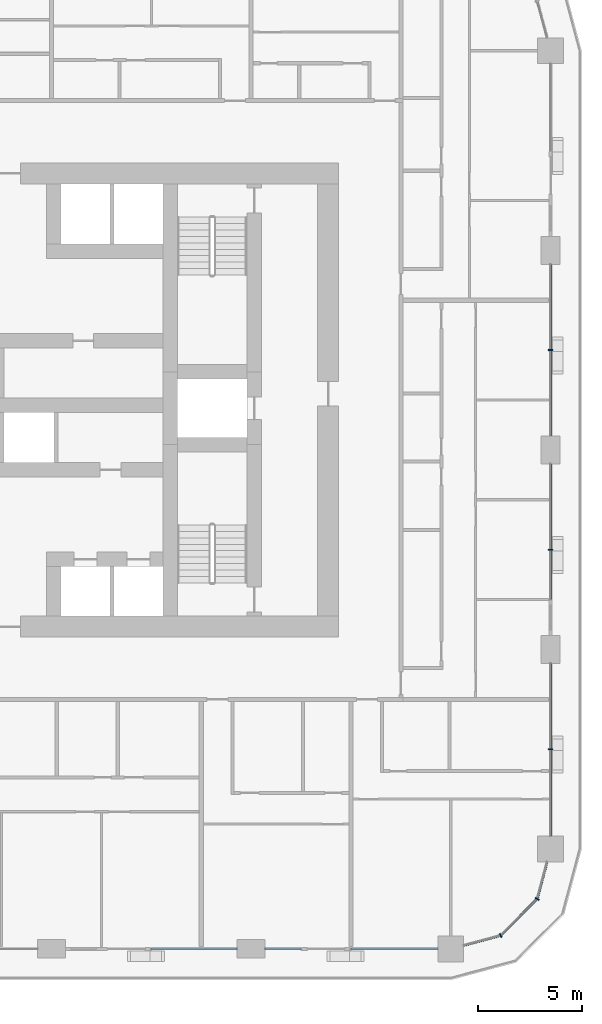
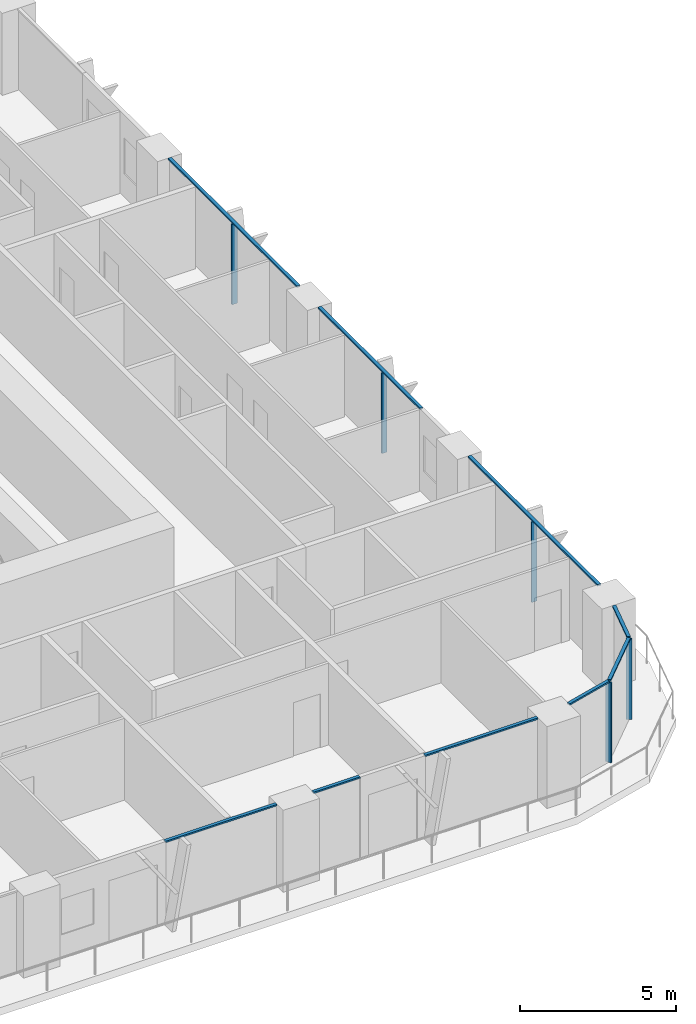
# One storey, part 4 of 21: 14 members, 6 elements without a shape of their own.
"""IFC4 building model written with IfcOpenShell, lengths in metres."""

from ifc_helpers import new_model, si_unit, direction, frame, origin, origin_2d, place, context, subcontext, project, spatial, rectangle, extrude, material, layer, layer_set, material_profile, profile_set, type_object, element, aggregate, save


model = new_model("IFC4")

# Units and contexts
model_context = context("Model", 3, precision=1e-05, world=origin(), true_north=direction((0.0, 1.0)))
body_context = subcontext(model_context, "Body", "Model", "MODEL_VIEW")
ifc_project = project(units=[si_unit("LENGTHUNIT", "METRE"), si_unit("AREAUNIT", "SQUARE_METRE"), si_unit("VOLUMEUNIT", "CUBIC_METRE"), si_unit("PLANEANGLEUNIT", "RADIAN"), si_unit("MASSUNIT", "GRAM", prefix="KILO")], contexts=[model_context])

# Site, building, storey
site_placement = place(None, origin())
site = spatial("IfcSite", under=ifc_project, at=site_placement, CompositionType="ELEMENT")
building_placement = place(site_placement, origin())
building = spatial("IfcBuilding", under=site, at=building_placement, Name="Madar Terraces", CompositionType="ELEMENT")
storey_placement = place(building_placement, frame((0.0, 0.0, 29.39990234375)))
storey = spatial("IfcBuildingStorey", under=building, at=storey_placement, Name="L06", CompositionType="ELEMENT", Elevation=29.39990234375)

# Curtain wall, member
ifc_material_1 = material(Name="Glass, ceramic frit dark grey, with black aluminium frame", Category="aluminium")
ifc_layer = layer(ifc_material_1, 0.199951171875)
ifc_layer_set = layer_set([ifc_layer], Name="Facade curtain wall, fritted glass")
curtain_wall_type = type_object("IfcCurtainWallType", Name="Facade curtain wall, fritted glass", PredefinedType="NOTDEFINED", material=ifc_layer_set)
curtain_wall_1_placement = place(storey_placement, origin())
curtain_wall_1 = element("IfcCurtainWall", 1, at=curtain_wall_1_placement, inside=storey, type_object=curtain_wall_type, Name="Outer skin curtain wall east bay 1", PredefinedType="NOTDEFINED")
ifc_material_2 = material(Name="Aluminium, black anodised", Category="aluminium")
ifc_material_profile_1 = material_profile(ifc_material_2, rectangle(XDim=0.199951171875, YDim=0.06005859375, at=origin_2d()), Name="Facade mullion 60x200")
ifc_profile_set_1 = profile_set([ifc_material_profile_1], Name="Aluminium, black anodised")
member_type_1 = type_object("IfcMemberType", Name="Facade mullion 60x200", PredefinedType="MULLION", material=ifc_profile_set_1)
member_1_placement = place(storey_placement, frame((57.60009765625, 9.60009765625, 0.0), z_axis=(0.0, 0.0, 1.0), x_axis=(-1.0, 0.0, 0.0)))
member_1 = element("IfcMember", 2, at=member_1_placement, type_object=member_type_1, Name="Mullion 1", PredefinedType="MULLION", context=body_context, shape_type="SweptSolid", body=[
    extrude(rectangle(XDim=0.199951171875, YDim=0.06005859375, at=origin_2d()), origin(), (0.0, 0.0, 1.0), 3.14013671875),
])

curtain_wall_2_placement = place(storey_placement, origin())
curtain_wall_2 = element("IfcCurtainWall", 3, at=curtain_wall_2_placement, inside=storey, type_object=curtain_wall_type, Name="Outer skin curtain wall east bay 2", PredefinedType="NOTDEFINED")
member_2_placement = place(storey_placement, frame((57.60009765625, 19.199951171875, 0.0), z_axis=(0.0, 0.0, 1.0), x_axis=(-1.0, 0.0, 0.0)))
member_2 = element("IfcMember", 4, at=member_2_placement, type_object=member_type_1, Name="Mullion 1", PredefinedType="MULLION", context=body_context, shape_type="SweptSolid", body=[
    extrude(rectangle(XDim=0.199951171875, YDim=0.06005859375, at=origin_2d()), origin(), (0.0, 0.0, 1.0), 3.14013671875),
])

curtain_wall_3_placement = place(storey_placement, origin())
curtain_wall_3 = element("IfcCurtainWall", 5, at=curtain_wall_3_placement, inside=storey, type_object=curtain_wall_type, Name="Outer skin curtain wall east bay 3", PredefinedType="NOTDEFINED")
member_3_placement = place(storey_placement, frame((57.60009765625, 28.800048828125, 0.0), z_axis=(0.0, 0.0, 1.0), x_axis=(-1.0, 0.0, 0.0)))
member_3 = element("IfcMember", 6, at=member_3_placement, type_object=member_type_1, Name="Mullion 1", PredefinedType="MULLION", context=body_context, shape_type="SweptSolid", body=[
    extrude(rectangle(XDim=0.199951171875, YDim=0.06005859375, at=origin_2d()), origin(), (0.0, 0.0, 1.0), 3.14013671875),
])

# Curtain wall, members
curtain_wall_4_placement = place(storey_placement, origin())
curtain_wall_4 = element("IfcCurtainWall", 7, at=curtain_wall_4_placement, inside=storey, type_object=curtain_wall_type, Name="Outer skin curtain wall south-east corner", PredefinedType="NOTDEFINED")
member_4_placement = place(storey_placement, frame((55.199951171875, 0.64306640625, 0.0), z_axis=(0.0, 0.0, 1.0), x_axis=(-0.499999989586, 0.866025409797, 0.0)))
member_4 = element("IfcMember", 8, at=member_4_placement, type_object=member_type_1, Name="Mullion 1", PredefinedType="MULLION", context=body_context, shape_type="SweptSolid", body=[
    extrude(rectangle(XDim=0.199951171875, YDim=0.06005859375, at=origin_2d()), origin(), (0.0, 0.0, 1.0), 3.14013671875),
])
member_5_placement = place(storey_placement, frame((56.95703125, 2.39990234375, 0.0), z_axis=(0.0, 0.0, 1.0), x_axis=(-0.866025409797, 0.499999989586, 0.0)))
member_5 = element("IfcMember", 9, at=member_5_placement, type_object=member_type_1, Name="Mullion 2", PredefinedType="MULLION", context=body_context, shape_type="SweptSolid", body=[
    extrude(rectangle(XDim=0.199951171875, YDim=0.06005859375, at=origin_2d()), origin(), (0.0, 0.0, 1.0), 3.14013671875),
])

# Curtain wall, member
curtain_wall_5_placement = place(storey_placement, origin())
curtain_wall_5 = element("IfcCurtainWall", 10, at=curtain_wall_5_placement, inside=storey, type_object=curtain_wall_type, Name="Outer skin curtain wall south bay 4", PredefinedType="NOTDEFINED")
ifc_material_3 = material(Name="Aluminium, black anodised", Category="aluminium")
ifc_material_profile_2 = material_profile(ifc_material_3, rectangle(XDim=0.1201171875, YDim=0.06005859375, at=origin_2d()), Name="Facade transom 60x120")
ifc_profile_set_2 = profile_set([ifc_material_profile_2], Name="Aluminium, black anodised")
member_type_2 = type_object("IfcMemberType", Name="Facade transom 60x120", PredefinedType="USERDEFINED", material=ifc_profile_set_2)
member_6_placement = place(storey_placement, frame((38.39990234375, 0.0, 3.170166015625), z_axis=(1.0, 0.0, 0.0), x_axis=(0.0, 1.0, 0.0)))
member_6 = element("IfcMember", 11, at=member_6_placement, type_object=member_type_2, Name="Transom 1", ObjectType="TRANSOM", PredefinedType="USERDEFINED", context=body_context, shape_type="SweptSolid", body=[
    extrude(rectangle(XDim=0.1201171875, YDim=0.06005859375, at=origin_2d()), origin(), (0.0, 0.0, 1.0), 4.125),
])
aggregate(curtain_wall_5, [member_6])

# Curtain wall, members
curtain_wall_6_placement = place(storey_placement, origin())
curtain_wall_6 = element("IfcCurtainWall", 12, at=curtain_wall_6_placement, inside=storey, type_object=curtain_wall_type, Name="Outer skin curtain wall south bay 5", PredefinedType="NOTDEFINED")
member_7_placement = place(storey_placement, frame((43.875, 0.0, 3.170166015625), z_axis=(1.0, 0.0, 0.0), x_axis=(0.0, 1.0, 0.0)))
member_7 = element("IfcMember", 13, at=member_7_placement, type_object=member_type_2, Name="Transom 1", ObjectType="TRANSOM", PredefinedType="USERDEFINED", context=body_context, shape_type="SweptSolid", body=[
    extrude(rectangle(XDim=0.1201171875, YDim=0.06005859375, at=origin_2d()), origin(), (0.0, 0.0, 1.0), 1.72509765625),
])
member_8_placement = place(storey_placement, frame((48.0, 0.0, 3.170166015625), z_axis=(1.0, 0.0, 0.0), x_axis=(0.0, 1.0, 0.0)))
member_8 = element("IfcMember", 14, at=member_8_placement, type_object=member_type_2, Name="Transom 2", ObjectType="TRANSOM", PredefinedType="USERDEFINED", context=body_context, shape_type="SweptSolid", body=[
    extrude(rectangle(XDim=0.1201171875, YDim=0.06005859375, at=origin_2d()), origin(), (0.0, 0.0, 1.0), 4.175048828125),
])
aggregate(curtain_wall_6, [member_7, member_8])

# Member
member_9_placement = place(storey_placement, frame((57.60009765625, 5.425048828125, 3.170166015625), z_axis=(0.0, 1.0, 0.0), x_axis=(-1.0, 0.0, 0.0)))
member_9 = element("IfcMember", 15, at=member_9_placement, type_object=member_type_2, Name="Transom 1", ObjectType="TRANSOM", PredefinedType="USERDEFINED", context=body_context, shape_type="SweptSolid", body=[
    extrude(rectangle(XDim=0.1201171875, YDim=0.06005859375, at=origin_2d()), origin(), (0.0, 0.0, 1.0), 8.300048828125),
])

aggregate(curtain_wall_1, [member_1, member_9])

member_10_placement = place(storey_placement, frame((57.60009765625, 16.800048828125, 3.170166015625), z_axis=(0.0, 1.0, 0.0), x_axis=(-1.0, 0.0, 0.0)))
member_10 = element("IfcMember", 16, at=member_10_placement, type_object=member_type_2, Name="Transom 1", ObjectType="TRANSOM", PredefinedType="USERDEFINED", context=body_context, shape_type="SweptSolid", body=[
    extrude(rectangle(XDim=0.1201171875, YDim=0.06005859375, at=origin_2d()), origin(), (0.0, 0.0, 1.0), 6.52490234375),
])

aggregate(curtain_wall_2, [member_2, member_10])

member_11_placement = place(storey_placement, frame((57.60009765625, 24.675048828125, 3.170166015625), z_axis=(0.0, 1.0, 0.0), x_axis=(-1.0, 0.0, 0.0)))
member_11 = element("IfcMember", 17, at=member_11_placement, type_object=member_type_2, Name="Transom 1", ObjectType="TRANSOM", PredefinedType="USERDEFINED", context=body_context, shape_type="SweptSolid", body=[
    extrude(rectangle(XDim=0.1201171875, YDim=0.06005859375, at=origin_2d()), origin(), (0.0, 0.0, 1.0), 8.25),
])

aggregate(curtain_wall_3, [member_3, member_11])

member_12_placement = place(storey_placement, frame((53.425048828125, 0.16748046875, 3.170166015625), z_axis=(0.965938406667, 0.258772089929, 0.0), x_axis=(-0.258772089929, 0.965938406667, 0.0)))
member_12 = element("IfcMember", 18, at=member_12_placement, type_object=member_type_2, Name="Transom 1", ObjectType="TRANSOM", PredefinedType="USERDEFINED", context=body_context, shape_type="SweptSolid", body=[
    extrude(rectangle(XDim=0.1201171875, YDim=0.06005859375, at=origin_2d()), origin(), (0.0, 0.0, 1.0), 1.8076171875),
])

member_13_placement = place(storey_placement, frame((55.22119140625, 0.664306640625, 3.170166015625), z_axis=(0.707106781187, 0.707106781187, 0.0), x_axis=(-0.707106781187, 0.707106781187, 0.0)))
member_13 = element("IfcMember", 19, at=member_13_placement, type_object=member_type_2, Name="Transom 2", ObjectType="TRANSOM", PredefinedType="USERDEFINED", context=body_context, shape_type="SweptSolid", body=[
    extrude(rectangle(XDim=0.1201171875, YDim=0.06005859375, at=origin_2d()), origin(), (0.0, 0.0, 1.0), 2.4248046875),
])

member_14_placement = place(storey_placement, frame((56.964599609375, 2.428955078125, 3.170166015625), z_axis=(0.258898097903, 0.965904640688, 0.0), x_axis=(-0.965904640688, 0.258898097903, 0.0)))
member_14 = element("IfcMember", 20, at=member_14_placement, type_object=member_type_2, Name="Transom 3", ObjectType="TRANSOM", PredefinedType="USERDEFINED", context=body_context, shape_type="SweptSolid", body=[
    extrude(rectangle(XDim=0.1201171875, YDim=0.06005859375, at=origin_2d()), origin(), (0.0, 0.0, 1.0), 1.8076171875),
])

aggregate(curtain_wall_4, [member_4, member_12, member_5, member_13, member_14])

save(model, "model.ifc")
